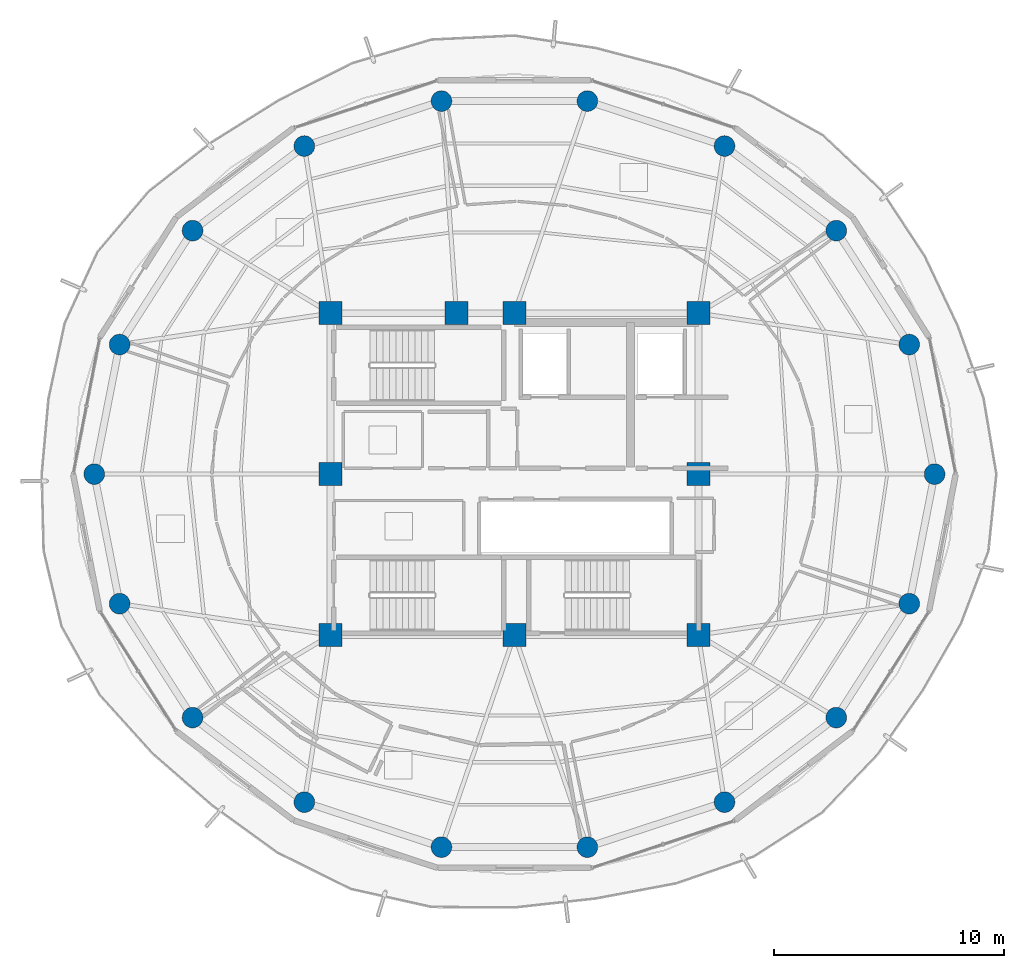
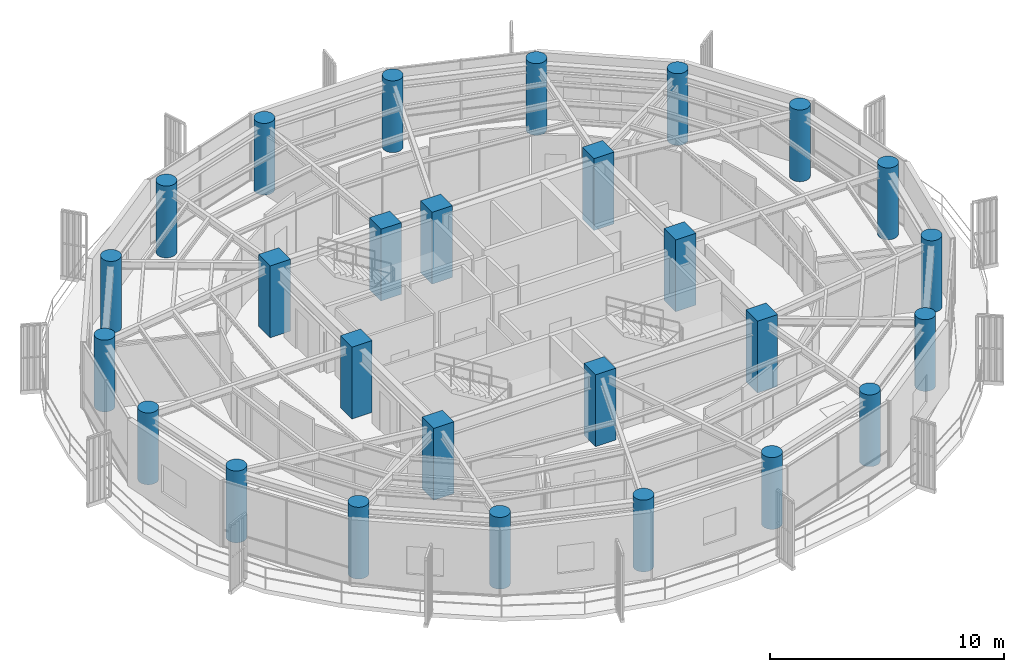
# One storey, part 1 of 23: 27 columns.
"""IFC4 building model written with IfcOpenShell, lengths in metres."""

from ifc_helpers import new_model, si_unit, direction, frame, origin, origin_2d, place, context, subcontext, project, spatial, rectangle, circle, extrude, material, material_profile, profile_set, type_object, element, save


model = new_model("IFC4")

# Units and contexts
model_context = context("Model", 3, precision=1e-05, world=origin(), true_north=direction((0.0, 1.0)))
body_context = subcontext(model_context, "Body", "Model", "MODEL_VIEW")
ifc_project = project(units=[si_unit("LENGTHUNIT", "METRE"), si_unit("AREAUNIT", "SQUARE_METRE"), si_unit("VOLUMEUNIT", "CUBIC_METRE"), si_unit("PLANEANGLEUNIT", "RADIAN"), si_unit("MASSUNIT", "GRAM", prefix="KILO")], contexts=[model_context])

# Site, building, storey
site_placement = place(None, origin())
site = spatial("IfcSite", under=ifc_project, at=site_placement, CompositionType="ELEMENT")
building_placement = place(site_placement, origin())
building = spatial("IfcBuilding", under=site, at=building_placement, Name="Kelanora Arch Commons", CompositionType="ELEMENT")
storey_placement = place(building_placement, frame((0.0, 0.0, 282.449951171875)))
storey = spatial("IfcBuildingStorey", under=building, at=storey_placement, Name="L72", CompositionType="ELEMENT", Elevation=282.449951171875)

# Columns
ifc_material = material(Name="Concrete C50/60", Category="concrete")
ifc_material_profile_1 = material_profile(ifc_material, circle(Radius=0.449951171875, at=origin_2d()), Name="RCC900")
ifc_profile_set_1 = profile_set([ifc_material_profile_1], Name="Concrete C50/60")
column_type_1 = type_object("IfcColumnType", Name="COL-PERIM-Z5", PredefinedType="COLUMN", material=ifc_profile_set_1)
for number, where, z_axis, x_axis, name in (
    (1, (92.280029296875, 58.0, 0.0), (0.0, 0.0, 1.0), (1.0, 0.0, 0.0), "Perimeter Ring Column CP-00 L72"),
    (2, (91.177490234375, 63.636474609375, 0.0), (0.0, 0.0, 1.0), (1.0, 0.0, 0.0), "Perimeter Ring Column CP-02 L72"),
    (3, (88.00341796875, 68.593017578125, 0.0), (0.0, 0.0, 1.0), (1.0, 0.0, 0.0), "Perimeter Ring Column CP-04 L72"),
    (4, (83.139892578125, 72.272216796875, 0.0), (0.0, 0.0, 1.0), (1.0, 0.0, 0.0), "Perimeter Ring Column CP-06 L72"),
    (5, (77.17431640625, 74.2294921875, 0.0), (0.0, 0.0, 1.0), (1.0, 0.0, 0.0), "Perimeter Ring Column CP-08 L72"),
    (6, (70.82568359375, 74.2294921875, 0.0), (0.0, 0.0, 1.0), (1.0, 0.0, 0.0), "Perimeter Ring Column CP-10 L72"),
    (7, (64.860107421875, 72.272216796875, 0.0), (0.0, 0.0, 1.0), (1.0, 0.0, 0.0), "Perimeter Ring Column CP-12 L72"),
    (8, (59.99658203125, 68.593017578125, 0.0), (0.0, 0.0, 1.0), (1.0, 0.0, 0.0), "Perimeter Ring Column CP-14 L72"),
    (9, (56.822509765625, 63.636474609375, 0.0), (0.0, 0.0, 1.0), (1.0, 0.0, 0.0), "Perimeter Ring Column CP-16 L72"),
    (10, (55.719970703125, 58.0, 0.0), (0.0, 0.0, 1.0), (1.0, 0.0, 0.0), "Perimeter Ring Column CP-18 L72"),
    (11, (56.822509765625, 52.363525390625, 0.0), (0.0, 0.0, 1.0), (1.0, 0.0, 0.0), "Perimeter Ring Column CP-20 L72"),
    (12, (59.99658203125, 47.406982421875, 0.0), (0.0, 0.0, 1.0), (1.0, 0.0, 0.0), "Perimeter Ring Column CP-22 L72"),
    (13, (64.860107421875, 43.727783203125, 0.0), (0.0, 0.0, 1.0), (1.0, 0.0, 0.0), "Perimeter Ring Column CP-24 L72"),
    (14, (70.82568359375, 41.7705078125, 0.0), (0.0, 0.0, 1.0), (1.0, 0.0, 0.0), "Perimeter Ring Column CP-26 L72"),
    (15, (77.17431640625, 41.7705078125, 0.0), (0.0, 0.0, 1.0), (1.0, 0.0, 0.0), "Perimeter Ring Column CP-28 L72"),
    (16, (83.139892578125, 43.727783203125, 0.0), (0.0, 0.0, 1.0), (1.0, 0.0, 0.0), "Perimeter Ring Column CP-30 L72"),
    (17, (88.00341796875, 47.406982421875, 0.0), (0.0, 0.0, 1.0), (1.0, 0.0, 0.0), "Perimeter Ring Column CP-32 L72"),
    (18, (91.177490234375, 52.363525390625, 0.0), (0.0, 0.0, 1.0), (1.0, 0.0, 0.0), "Perimeter Ring Column CP-34 L72"),
):
    element("IfcColumn", number, at=place(storey_placement, frame(where, z_axis=z_axis, x_axis=x_axis)), inside=storey, type_object=column_type_1, Name=name, PredefinedType="COLUMN", context=body_context, shape_type="SweptSolid", body=[
        extrude(circle(Radius=0.449951171875, at=origin_2d()), origin(), (0.0, 0.0, 1.0), 3.75),
    ])
ifc_material_profile_2 = material_profile(ifc_material, rectangle(XDim=1.0, YDim=1.0, at=origin_2d()), Name="RC1000x1000")
ifc_profile_set_2 = profile_set([ifc_material_profile_2], Name="Concrete C50/60")
column_type_2 = type_object("IfcColumnType", Name="COL-PIL-HIGH", PredefinedType="PILASTER", material=ifc_profile_set_2)
for number, where, z_axis, x_axis, name in (
    (19, (66.0, 51.0, 0.0), (0.0, 0.0, 1.0), (1.0, 0.0, 0.0), "Core Pilaster Column CP1 L72"),
    (20, (74.0, 51.0, 0.0), (0.0, 0.0, 1.0), (1.0, 0.0, 0.0), "Core Pilaster Column CP2 L72"),
    (21, (82.0, 51.0, 0.0), (0.0, 0.0, 1.0), (1.0, 0.0, 0.0), "Core Pilaster Column CP3 L72"),
    (22, (82.0, 58.0, 0.0), (0.0, 0.0, 1.0), (1.0, 0.0, 0.0), "Core Pilaster Column CP4 L72"),
    (23, (82.0, 65.0, 0.0), (0.0, 0.0, 1.0), (1.0, 0.0, 0.0), "Core Pilaster Column CP5 L72"),
    (24, (74.0, 65.0, 0.0), (0.0, 0.0, 1.0), (1.0, 0.0, 0.0), "Core Pilaster Column CP6 L72"),
    (25, (71.47998046875, 65.0, 0.0), (0.0, 0.0, 1.0), (1.0, 0.0, 0.0), "Core Pilaster Column CP9 L72"),
    (26, (66.0, 65.0, 0.0), (0.0, 0.0, 1.0), (1.0, 0.0, 0.0), "Core Pilaster Column CP7 L72"),
    (27, (66.0, 58.0, 0.0), (0.0, 0.0, 1.0), (1.0, 0.0, 0.0), "Core Pilaster Column CP8 L72"),
):
    element("IfcColumn", number, at=place(storey_placement, frame(where, z_axis=z_axis, x_axis=x_axis)), inside=storey, type_object=column_type_2, Name=name, PredefinedType="PILASTER", context=body_context, shape_type="SweptSolid", body=[
        extrude(rectangle(XDim=1.0, YDim=1.0, at=origin_2d()), origin(), (0.0, 0.0, 1.0), 3.75),
    ])

save(model, "model.ifc")
